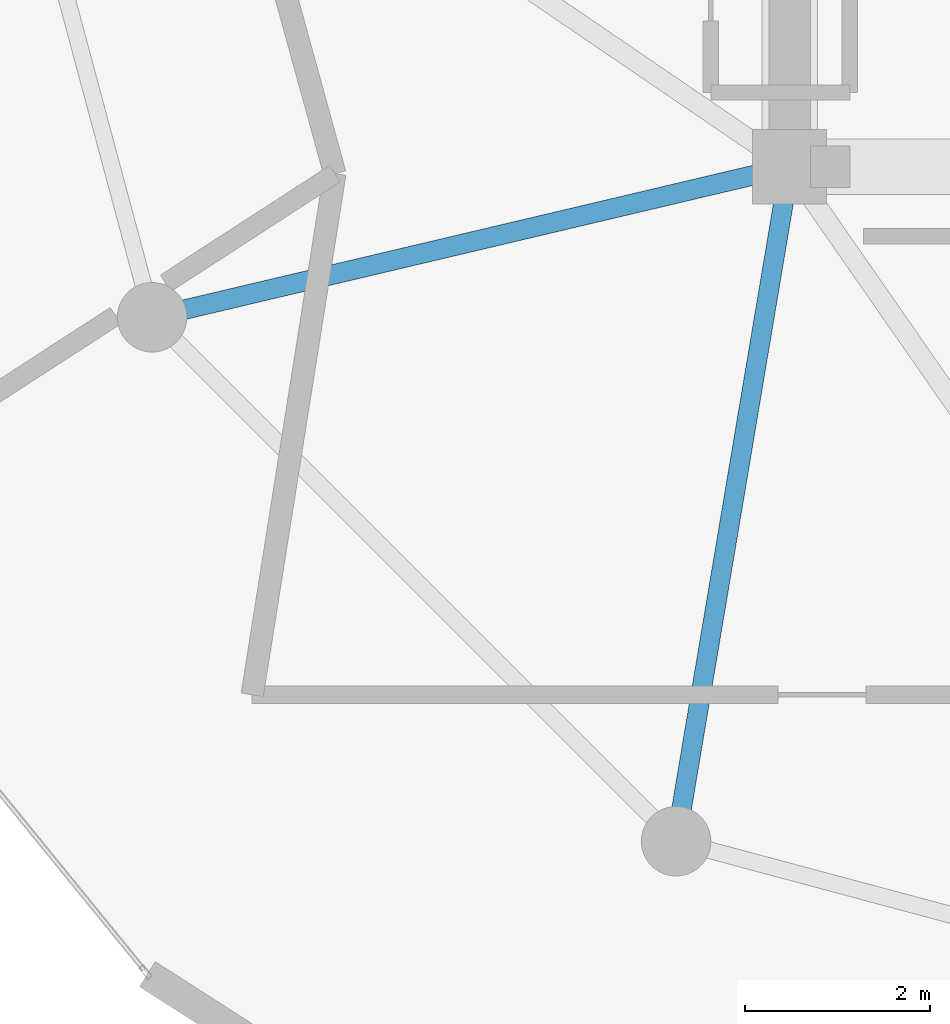
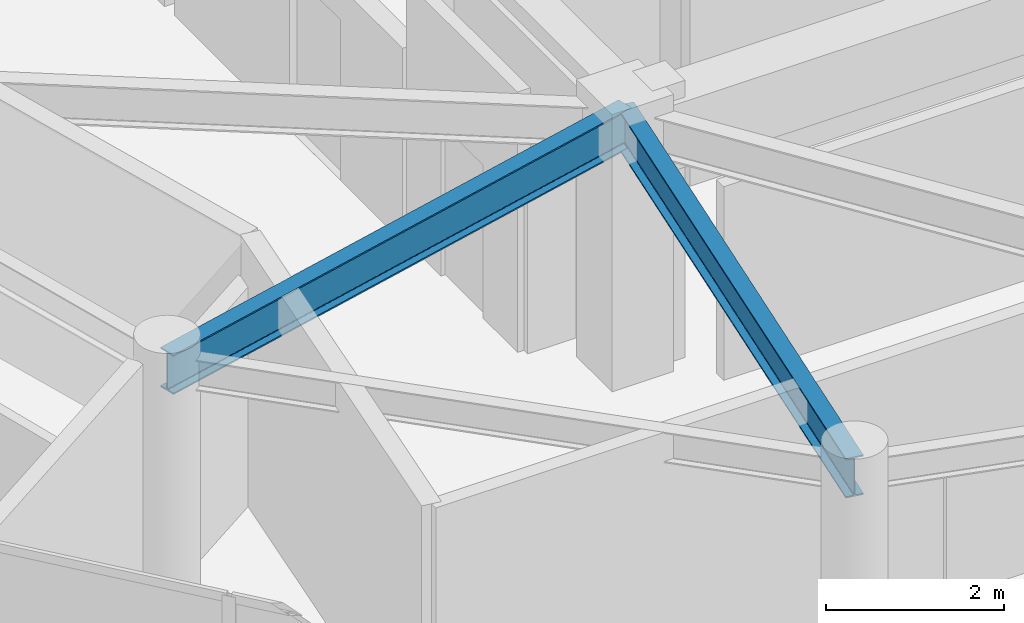
# One storey, part 4 of 22: 2 beams.
"""IFC4 building model written with IfcOpenShell, lengths in metres."""

import ifcopenshell
import ifcopenshell.guid

model = None  # the IFC model being written
_history = None  # IfcOwnerHistory: only IFC2X3 demands one
_inside = {}  # id of a spatial element -> (the spatial element, [elements in it])
_under = {}  # id of a project, library or spatial element -> (it, [spatial elements below it])
_declared = {}  # id of a project -> (the project, [libraries it declares])
_typed = {}  # id of a type object -> (the type object, [elements of that type])
_made_of = {}  # id of a material, layer set ... -> (it, [elements and type objects made of it])


def new_model(schema):
    """Start an empty IFC model of exactly this schema.

    Asked for "IFC4X3", IfcOpenShell would pick the latest addendum, in which some entities
    have other attributes; the version numbers below select the first issue.
    IFC2X3 requires an IfcOwnerHistory on every rooted entity: one is made here for all.
    """
    global model, _history
    if schema == "IFC4X3":
        model = ifcopenshell.file(schema_version=(4, 3, 0, 0))
    else:
        model = ifcopenshell.file(schema=schema)
    _inside.clear()
    _under.clear()
    _declared.clear()
    _typed.clear()
    _made_of.clear()
    _history = None
    if model.schema == "IFC2X3":
        org = make("IfcOrganization", Name="unknown")
        user = make(
            "IfcPersonAndOrganization",
            ThePerson=make("IfcPerson", FamilyName="unknown"),
            TheOrganization=org,
        )
        app = make(
            "IfcApplication",
            ApplicationDeveloper=org,
            Version="unknown",
            ApplicationFullName="unknown",
            ApplicationIdentifier="unknown",
        )
        _history = make(
            "IfcOwnerHistory",
            OwningUser=user,
            OwningApplication=app,
            ChangeAction="ADDED",
            CreationDate=0,
        )
    return model


def make(cls, **values):
    """One entity of the class cls with the attributes given. An attribute that is None is left unset."""
    return model.create_entity(
        cls, **{name: value for name, value in values.items() if value is not None}
    )


def rooted(cls, **values):
    """An entity with a GlobalId (a new one), such as an element, a storey or a relation."""
    return make(cls, GlobalId=ifcopenshell.guid.new(), OwnerHistory=_history, **values)


def si_unit(unit_type, name, prefix=None):
    """IfcSIUnit, for example si_unit("LENGTHUNIT", "METRE", prefix="MILLI")."""
    return make("IfcSIUnit", UnitType=unit_type, Prefix=prefix, Name=name)


def assignment(units):
    """IfcUnitAssignment: the units of a project."""
    return None if units is None else make("IfcUnitAssignment", Units=units)


def point(xyz):
    """IfcCartesianPoint."""
    return None if xyz is None else make("IfcCartesianPoint", Coordinates=xyz)


def direction(xyz):
    """IfcDirection."""
    return None if xyz is None else make("IfcDirection", DirectionRatios=xyz)


def frame(location, z_axis=None, x_axis=None):
    """IfcAxis2Placement3D, a coordinate frame: its origin and axes. An axis left out is left unset."""
    return make(
        "IfcAxis2Placement3D",
        Location=point(location),
        Axis=direction(z_axis),
        RefDirection=direction(x_axis),
    )


def frame_2d(location, x_axis=None):
    """IfcAxis2Placement2D, a coordinate frame in the plane: its origin and x axis."""
    return make(
        "IfcAxis2Placement2D", Location=point(location), RefDirection=direction(x_axis)
    )


def origin():
    """The frame at (0, 0, 0) with its axes left unset."""
    return frame((0.0, 0.0, 0.0))


def origin_2d():
    """The frame at (0, 0) in the plane with its x axis left unset."""
    return frame_2d((0.0, 0.0))


def place(relative_to, where):
    """IfcLocalPlacement: puts the frame where relative to a parent placement (None: the world)."""
    return make(
        "IfcLocalPlacement", PlacementRelTo=relative_to, RelativePlacement=where
    )


def context(
    kind, dimensions, precision=None, world=None, true_north=None, identifier=None
):
    """IfcGeometricRepresentationContext, for example the 3D "Model" context."""
    return make(
        "IfcGeometricRepresentationContext",
        ContextIdentifier=identifier,
        ContextType=kind,
        CoordinateSpaceDimension=dimensions,
        Precision=precision,
        WorldCoordinateSystem=world,
        TrueNorth=true_north,
    )


def subcontext(parent, identifier, kind, view, scale=None):
    """IfcGeometricRepresentationSubContext, for example "Body" below "Model"."""
    return make(
        "IfcGeometricRepresentationSubContext",
        ContextIdentifier=identifier,
        ContextType=kind,
        ParentContext=parent,
        TargetScale=scale,
        TargetView=view,
    )


def project(units=None, contexts=None):
    """IfcProject with its units and contexts."""
    return rooted(
        "IfcProject",
        Name="project",
        RepresentationContexts=contexts,
        UnitsInContext=assignment(units),
    )


def spatial(cls, under=None, at=None, **own):
    """A site, building, storey or space (cls), placed at a placement, below another one or the project."""
    s = rooted(cls, ObjectPlacement=at, **own)
    if under is not None:
        _under.setdefault(under.id(), (under, []))[1].append(s)
    return s


def profile(cls, at=None, kind="AREA", **sizes):
    """A parametric profile (cls). Its sizes go by their IFC names, for example OverallWidth=200.0."""
    return make(cls, ProfileType=kind, Position=at, **sizes)


def i_section(**sizes):
    """IfcIShapeProfileDef."""
    return profile("IfcIShapeProfileDef", **sizes)


def extrude(swept, where, along, depth):
    """IfcExtrudedAreaSolid: the profile swept, set in the frame where, extruded along a direction by depth."""
    return make(
        "IfcExtrudedAreaSolid",
        SweptArea=swept,
        Position=where,
        ExtrudedDirection=direction(along),
        Depth=depth,
    )


def shape(context_of_items, identifier, shape_type, items):
    """IfcShapeRepresentation: the items that make up one representation, for example the "Body"."""
    return make(
        "IfcShapeRepresentation",
        ContextOfItems=context_of_items,
        RepresentationIdentifier=identifier,
        RepresentationType=shape_type,
        Items=items,
    )


def material(Name=None, Category=None):
    """IfcMaterial."""
    return make("IfcMaterial", Name=Name, Category=Category)


def material_profile(
    of_material, cross_section, Name=None, Category=None, Priority=None
):
    """IfcMaterialProfile: a cross section and its material."""
    return make(
        "IfcMaterialProfile",
        Name=Name,
        Material=of_material,
        Profile=cross_section,
        Priority=Priority,
        Category=Category,
    )


def profile_set(profiles, Name=None, composite=None):
    """IfcMaterialProfileSet."""
    return make(
        "IfcMaterialProfileSet",
        Name=Name,
        MaterialProfiles=profiles,
        CompositeProfile=composite,
    )


def made_of(thing, what):
    """Note that an element or type object is made of a material, layer set ...; save() writes the relation."""
    if what is not None:
        _made_of.setdefault(what.id(), (what, []))[1].append(thing)
    return thing


def type_object(cls, material=None, **own):
    """A type object (cls), such as IfcWallType, which elements share."""
    return made_of(rooted(cls, **own), material)


def element(
    cls,
    number,
    at=None,
    inside=None,
    cuts=None,
    type_object=None,
    material=None,
    context=None,
    identifier="Body",
    shape_type=None,
    held_by="IfcProductDefinitionShape",
    body=None,
    shapes=None,
    **own,
):
    """One element of the class cls, such as IfcWall. Its Tag is "e" and its number.

    at: its placement. inside: the storey or other place that contains it. cuts: it is an
    opening in that element (IfcRelVoidsElement). A single representation is given by context,
    identifier, shape_type and body (its items); several are given by shapes. held_by: the class
    of the entity that holds the representations. save() writes the other relations.
    """
    e = rooted(cls, Tag="e%d" % number, ObjectPlacement=at, **own)
    if body is not None:
        shapes = [shape(context, identifier, shape_type, body)]
    if shapes is not None:
        e.Representation = make(held_by, Representations=shapes)
    if inside is not None:
        _inside.setdefault(inside.id(), (inside, []))[1].append(e)
    if cuts is not None:
        rooted(
            "IfcRelVoidsElement", RelatingBuildingElement=cuts, RelatedOpeningElement=e
        )
    if type_object is not None:
        _typed.setdefault(type_object.id(), (type_object, []))[1].append(e)
    return made_of(e, material)


def aggregate(whole, parts):
    """IfcRelAggregates: a whole, such as a stair, and the parts it consists of."""
    return rooted("IfcRelAggregates", RelatingObject=whole, RelatedObjects=parts)


def save(model, path):
    """Write the relations noted so far, then the file.

    IfcRelAggregates (storeys below a building ...), IfcRelContainedInSpatialStructure (elements
    in a storey), IfcRelDefinesByType, IfcRelAssociatesMaterial and IfcRelDeclares: one each for
    every whole, place, type object, material and project.
    """
    for whole, parts in _under.values():
        aggregate(whole, parts)
    for where, things in _inside.values():
        rooted(
            "IfcRelContainedInSpatialStructure",
            RelatedElements=things,
            RelatingStructure=where,
        )
    for kind, things in _typed.values():
        rooted("IfcRelDefinesByType", RelatedObjects=things, RelatingType=kind)
    for what, things in _made_of.values():
        rooted("IfcRelAssociatesMaterial", RelatedObjects=things, RelatingMaterial=what)
    for by, libraries in _declared.values():
        rooted("IfcRelDeclares", RelatingContext=by, RelatedDefinitions=libraries)
    model.write(path)


model = new_model("IFC4")

# Units and contexts
model_context = context("Model", 3, precision=1e-05, world=origin(), true_north=direction((0.0, 1.0)))
body_context = subcontext(model_context, "Body", "Model", "MODEL_VIEW")
ifc_project = project(units=[si_unit("LENGTHUNIT", "METRE"), si_unit("AREAUNIT", "SQUARE_METRE"), si_unit("VOLUMEUNIT", "CUBIC_METRE"), si_unit("PLANEANGLEUNIT", "RADIAN"), si_unit("MASSUNIT", "GRAM", prefix="KILO")], contexts=[model_context])

# Site, building, storey
site_placement = place(None, origin())
site = spatial("IfcSite", under=ifc_project, at=site_placement, CompositionType="ELEMENT")
building_placement = place(site_placement, origin())
building = spatial("IfcBuilding", under=site, at=building_placement, Name="Solvirekh Grand Hotel", CompositionType="ELEMENT")
storey_placement = place(building_placement, frame((0.0, 0.0, 293.39990234375)))
storey = spatial("IfcBuildingStorey", under=building, at=storey_placement, Name="L76", CompositionType="ELEMENT", Elevation=293.39990234375)

# Beams
ifc_material = material(Name="Steel S355", Category="steel")
ifc_material_profile = material_profile(ifc_material, i_section(OverallWidth=0.2119140625, OverallDepth=0.5439453125, WebThickness=0.011962890625, FlangeThickness=0.01904296875, FilletRadius=0.013916015625, at=origin_2d()), Name="W530X123")
ifc_profile_set = profile_set([ifc_material_profile], Name="Steel S355")
beam_type = type_object("IfcBeamType", Name="Beam_Radial_W530H", PredefinedType="BEAM", material=ifc_profile_set)
beam_1_placement = place(storey_placement, frame((-6.5, -6.10009765625, 3.298095703125), z_axis=(-0.973221147544, -0.229870828888, 0.0), x_axis=(0.229870828888, -0.973221147544, 0.0)))
element("IfcBeam", 1, at=beam_1_placement, inside=storey, type_object=beam_type, Name="L76 radial floor beam R08", PredefinedType="BEAM", context=body_context, shape_type="SweptSolid", body=[
    extrude(i_section(OverallWidth=0.2119140625, OverallDepth=0.5439453125, WebThickness=0.011962890625, FlangeThickness=0.01904296875, FilletRadius=0.013916015625, at=origin_2d()), origin(), (0.0, 0.0, 1.0), 7.069091796875),
])
beam_2_placement = place(storey_placement, frame((-6.5, -6.10009765625, 3.298095703125), z_axis=(-0.165954049106, -0.986133486697, 0.0), x_axis=(0.986133486697, -0.165954049106, 0.0)))
element("IfcBeam", 2, at=beam_2_placement, inside=storey, type_object=beam_type, Name="L76 radial floor beam R09", PredefinedType="BEAM", context=body_context, shape_type="SweptSolid", body=[
    extrude(i_section(OverallWidth=0.2119140625, OverallDepth=0.5439453125, WebThickness=0.011962890625, FlangeThickness=0.01904296875, FilletRadius=0.013916015625, at=origin_2d()), origin(), (0.0, 0.0, 1.0), 7.382080078125),
])

save(model, "model.ifc")
